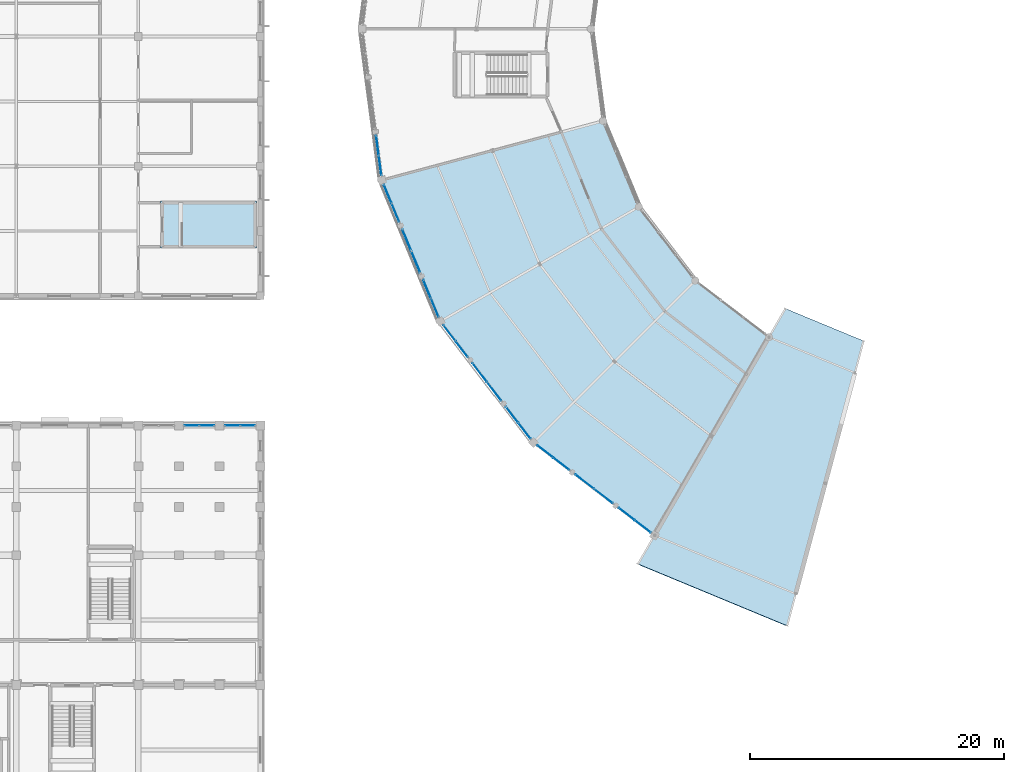
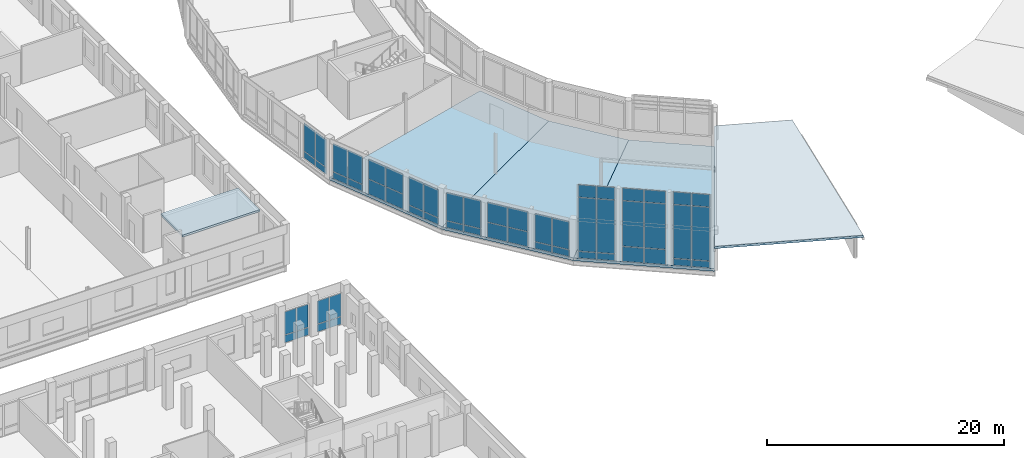
# One storey, part 137 of 185: 54 plates, 5 slabs, 12 elements without a shape of their own.
"""IFC4 building model written with IfcOpenShell, lengths in metres."""

from ifc_helpers import new_model, si_unit, direction, frame, origin, origin_2d, place, context, subcontext, project, spatial, polyline, rectangle, outline, extrude, material, layer, layer_set, type_object, element, aggregate, save


model = new_model("IFC4")

# Units and contexts
model_context = context("Model", 3, precision=1e-05, world=origin(), true_north=direction((0.0, 1.0)))
body_context = subcontext(model_context, "Body", "Model", "MODEL_VIEW")
ifc_project = project(units=[si_unit("LENGTHUNIT", "METRE"), si_unit("AREAUNIT", "SQUARE_METRE"), si_unit("VOLUMEUNIT", "CUBIC_METRE"), si_unit("PLANEANGLEUNIT", "RADIAN"), si_unit("MASSUNIT", "GRAM", prefix="KILO")], contexts=[model_context])

# Site, building, storey
site_placement = place(None, origin())
site = spatial("IfcSite", under=ifc_project, at=site_placement, CompositionType="ELEMENT")
building_placement = place(site_placement, origin())
building = spatial("IfcBuilding", under=site, at=building_placement, Name="Vondelvale Polytechnic", CompositionType="ELEMENT")
storey_placement = place(building_placement, frame((0.0, 0.0, 9.60009765625)))
storey = spatial("IfcBuildingStorey", under=building, at=storey_placement, Name="L02", CompositionType="ELEMENT", Elevation=9.60009765625)

# Curtain wall, plates
ifc_material_1 = material(Name="Anodised extruded aluminium 6063-T6", Category="aluminium")
curtain_wall_type_1 = type_object("IfcCurtainWallType", Name="CW-STUDIO-NORTH", PredefinedType="NOTDEFINED", material=ifc_material_1)
curtain_wall_1_placement = place(storey_placement, origin())
curtain_wall_1 = element("IfcCurtainWall", 1, at=curtain_wall_1_placement, inside=storey, type_object=curtain_wall_type_1, Name="L02 architectural curtain wall CW-01-023", PredefinedType="NOTDEFINED")
ifc_material_2 = material(Name="Double-glazed low-E insulated architectural glass", Category="glass")
ifc_layer_1 = layer(ifc_material_2, 0.028076171875)
ifc_layer_set_1 = layer_set([ifc_layer_1], Name="CW-PANEL-GLAZED")
plate_type_1 = type_object("IfcPlateType", Name="CW-PANEL-GLAZED", PredefinedType="CURTAIN_PANEL", material=ifc_layer_set_1)
plate_1_placement = place(storey_placement, frame((42.606201171875, 40.800048828125, 0.8798828125), z_axis=(0.0, 0.0, 1.0), x_axis=(1.0, 0.0, 0.0)))
plate_1 = element("IfcPlate", 2, at=plate_1_placement, type_object=plate_type_1, Name="CW-01-023 panel 1.2", PredefinedType="CURTAIN_PANEL", context=body_context, shape_type="SweptSolid", body=[
    extrude(rectangle(XDim=1.12255859375, YDim=0.028076171875, at=origin_2d()), origin(), (0.0, 0.0, 1.0), 2.360107421875),
])
plate_2_placement = place(storey_placement, frame((43.793701171875, 40.800048828125, 0.8798828125), z_axis=(0.0, 0.0, 1.0), x_axis=(1.0, 0.0, 0.0)))
plate_2 = element("IfcPlate", 3, at=plate_2_placement, type_object=plate_type_1, Name="CW-01-023 panel 2.2", PredefinedType="CURTAIN_PANEL", context=body_context, shape_type="SweptSolid", body=[
    extrude(rectangle(XDim=1.12255859375, YDim=0.028076171875, at=origin_2d()), origin(), (0.0, 0.0, 1.0), 2.360107421875),
])

curtain_wall_2_placement = place(storey_placement, origin())
curtain_wall_2 = element("IfcCurtainWall", 4, at=curtain_wall_2_placement, inside=storey, type_object=curtain_wall_type_1, Name="L02 architectural curtain wall CW-01-024", PredefinedType="NOTDEFINED")
plate_3_placement = place(storey_placement, frame((45.80615234375, 40.800048828125, 0.8798828125), z_axis=(0.0, 0.0, 1.0), x_axis=(1.0, 0.0, 0.0)))
plate_3 = element("IfcPlate", 5, at=plate_3_placement, type_object=plate_type_1, Name="CW-01-024 panel 1.2", PredefinedType="CURTAIN_PANEL", context=body_context, shape_type="SweptSolid", body=[
    extrude(rectangle(XDim=1.12255859375, YDim=0.028076171875, at=origin_2d()), origin(), (0.0, 0.0, 1.0), 2.360107421875),
])
plate_4_placement = place(storey_placement, frame((46.99365234375, 40.800048828125, 0.8798828125), z_axis=(0.0, 0.0, 1.0), x_axis=(1.0, 0.0, 0.0)))
plate_4 = element("IfcPlate", 6, at=plate_4_placement, type_object=plate_type_1, Name="CW-01-024 panel 2.2", PredefinedType="CURTAIN_PANEL", context=body_context, shape_type="SweptSolid", body=[
    extrude(rectangle(XDim=1.12255859375, YDim=0.028076171875, at=origin_2d()), origin(), (0.0, 0.0, 1.0), 2.360107421875),
])

ifc_material_3 = material(Name="Glulam GL18 structural Tasmanian oak (fb = 42 MPa)", Category="wood")
curtain_wall_type_2 = type_object("IfcCurtainWallType", Name="CW-RING-OUTER", PredefinedType="NOTDEFINED", material=ifc_material_3)
curtain_wall_3_placement = place(storey_placement, origin())
curtain_wall_3 = element("IfcCurtainWall", 7, at=curtain_wall_3_placement, inside=storey, type_object=curtain_wall_type_2, Name="L02 architectural curtain wall CW-04-266", PredefinedType="NOTDEFINED")
plate_5_placement = place(storey_placement, frame((57.20751953125, 62.828369140625, 0.780029296875), z_axis=(0.0, 0.0, 1.0), x_axis=(0.130539547729, -0.991443102996, 0.0)))
plate_5 = element("IfcPlate", 8, at=plate_5_placement, type_object=plate_type_1, Name="CW-04-266 panel 1.2", PredefinedType="CURTAIN_PANEL", context=body_context, shape_type="SweptSolid", body=[
    extrude(rectangle(XDim=1.530029296875, YDim=0.028076171875, at=origin_2d()), origin(), (0.0, 0.0, 1.0), 2.8798828125),
])
plate_6_placement = place(storey_placement, frame((57.415771484375, 61.2470703125, 0.780029296875), z_axis=(0.0, 0.0, 1.0), x_axis=(0.130539547729, -0.991443102996, 0.0)))
plate_6 = element("IfcPlate", 9, at=plate_6_placement, type_object=plate_type_1, Name="CW-04-266 panel 2.2", PredefinedType="CURTAIN_PANEL", context=body_context, shape_type="SweptSolid", body=[
    extrude(rectangle(XDim=1.530029296875, YDim=0.028076171875, at=origin_2d()), origin(), (0.0, 0.0, 1.0), 2.8798828125),
])

curtain_wall_4_placement = place(storey_placement, origin())
curtain_wall_4 = element("IfcCurtainWall", 10, at=curtain_wall_4_placement, inside=storey, type_object=curtain_wall_type_2, Name="L02 architectural curtain wall CW-04-284", PredefinedType="NOTDEFINED")
plate_7_placement = place(storey_placement, frame((58.01220703125, 59.02001953125, 0.780029296875), z_axis=(0.0, 0.0, 1.0), x_axis=(0.382677394529, -0.923882033442, 0.0)))
plate_7 = element("IfcPlate", 11, at=plate_7_placement, type_object=plate_type_1, Name="CW-04-284 panel 1.2", PredefinedType="CURTAIN_PANEL", context=body_context, shape_type="SweptSolid", body=[
    extrude(rectangle(XDim=1.530029296875, YDim=0.028076171875, at=origin_2d()), origin(), (0.0, 0.0, 1.0), 2.8798828125),
])
plate_8_placement = place(storey_placement, frame((58.622802734375, 57.546630859375, 0.780029296875), z_axis=(0.0, 0.0, 1.0), x_axis=(0.382677394529, -0.923882033442, 0.0)))
plate_8 = element("IfcPlate", 12, at=plate_8_placement, type_object=plate_type_1, Name="CW-04-284 panel 2.2", PredefinedType="CURTAIN_PANEL", context=body_context, shape_type="SweptSolid", body=[
    extrude(rectangle(XDim=1.530029296875, YDim=0.028076171875, at=origin_2d()), origin(), (0.0, 0.0, 1.0), 2.8798828125),
])

curtain_wall_5_placement = place(storey_placement, origin())
curtain_wall_5 = element("IfcCurtainWall", 13, at=curtain_wall_5_placement, inside=storey, type_object=curtain_wall_type_2, Name="L02 architectural curtain wall CW-04-285", PredefinedType="NOTDEFINED")
plate_9_placement = place(storey_placement, frame((59.506591796875, 55.412841796875, 1.6298828125), z_axis=(0.0, 0.0, 1.0), x_axis=(0.382694599123, -0.92387490701, 0.0)))
plate_9 = element("IfcPlate", 14, at=plate_9_placement, type_object=plate_type_1, Name="CW-04-285 panel 1.2", PredefinedType="CURTAIN_PANEL", context=body_context, shape_type="SweptSolid", body=[
    extrude(rectangle(XDim=1.80908203125, YDim=0.028076171875, at=origin_2d()), origin(), (0.0, 0.0, 1.0), 2.030029296875),
])
plate_10_placement = place(storey_placement, frame((60.2236328125, 53.681396484375, 1.6298828125), z_axis=(0.0, 0.0, 1.0), x_axis=(0.382694599123, -0.92387490701, 0.0)))
plate_10 = element("IfcPlate", 15, at=plate_10_placement, type_object=plate_type_1, Name="CW-04-285 panel 2.2", PredefinedType="CURTAIN_PANEL", context=body_context, shape_type="SweptSolid", body=[
    extrude(rectangle(XDim=1.80908203125, YDim=0.028076171875, at=origin_2d()), origin(), (0.0, 0.0, 1.0), 2.030029296875),
])

curtain_wall_6_placement = place(storey_placement, origin())
curtain_wall_6 = element("IfcCurtainWall", 16, at=curtain_wall_6_placement, inside=storey, type_object=curtain_wall_type_2, Name="L02 architectural curtain wall CW-04-286", PredefinedType="NOTDEFINED")
plate_11_placement = place(storey_placement, frame((61.107421875, 51.5478515625, 0.780029296875), z_axis=(0.0, 0.0, 1.0), x_axis=(0.382677394529, -0.923882033442, 0.0)))
plate_11 = element("IfcPlate", 17, at=plate_11_placement, type_object=plate_type_1, Name="CW-04-286 panel 1.2", PredefinedType="CURTAIN_PANEL", context=body_context, shape_type="SweptSolid", body=[
    extrude(rectangle(XDim=1.530029296875, YDim=0.028076171875, at=origin_2d()), origin(), (0.0, 0.0, 1.0), 2.8798828125),
])
plate_12_placement = place(storey_placement, frame((61.7177734375, 50.07421875, 0.780029296875), z_axis=(0.0, 0.0, 1.0), x_axis=(0.382677394529, -0.923882033442, 0.0)))
plate_12 = element("IfcPlate", 18, at=plate_12_placement, type_object=plate_type_1, Name="CW-04-286 panel 2.2", PredefinedType="CURTAIN_PANEL", context=body_context, shape_type="SweptSolid", body=[
    extrude(rectangle(XDim=1.530029296875, YDim=0.028076171875, at=origin_2d()), origin(), (0.0, 0.0, 1.0), 2.8798828125),
])

curtain_wall_7_placement = place(storey_placement, origin())
curtain_wall_7 = element("IfcCurtainWall", 19, at=curtain_wall_7_placement, inside=storey, type_object=curtain_wall_type_2, Name="L02 architectural curtain wall CW-04-303", PredefinedType="NOTDEFINED")
plate_13_placement = place(storey_placement, frame((62.87060546875, 48.07763671875, 0.780029296875), z_axis=(0.0, 0.0, 1.0), x_axis=(0.608786860133, -0.793333825656, 0.0)))
plate_13 = element("IfcPlate", 20, at=plate_13_placement, type_object=plate_type_1, Name="CW-04-303 panel 1.2", PredefinedType="CURTAIN_PANEL", context=body_context, shape_type="SweptSolid", body=[
    extrude(rectangle(XDim=1.530029296875, YDim=0.028076171875, at=origin_2d()), origin(), (0.0, 0.0, 1.0), 2.8798828125),
])
plate_14_placement = place(storey_placement, frame((63.841552734375, 46.812255859375, 0.780029296875), z_axis=(0.0, 0.0, 1.0), x_axis=(0.608786860133, -0.793333825656, 0.0)))
plate_14 = element("IfcPlate", 21, at=plate_14_placement, type_object=plate_type_1, Name="CW-04-303 panel 2.2", PredefinedType="CURTAIN_PANEL", context=body_context, shape_type="SweptSolid", body=[
    extrude(rectangle(XDim=1.530029296875, YDim=0.028076171875, at=origin_2d()), origin(), (0.0, 0.0, 1.0), 2.8798828125),
])

curtain_wall_8_placement = place(storey_placement, origin())
curtain_wall_8 = element("IfcCurtainWall", 22, at=curtain_wall_8_placement, inside=storey, type_object=curtain_wall_type_2, Name="L02 architectural curtain wall CW-04-305", PredefinedType="NOTDEFINED")
plate_15_placement = place(storey_placement, frame((67.794189453125, 41.660888671875, 0.780029296875), z_axis=(0.0, 0.0, 1.0), x_axis=(0.608786860133, -0.793333825656, 0.0)))
plate_15 = element("IfcPlate", 23, at=plate_15_placement, type_object=plate_type_1, Name="CW-04-305 panel 1.2", PredefinedType="CURTAIN_PANEL", context=body_context, shape_type="SweptSolid", body=[
    extrude(rectangle(XDim=1.530029296875, YDim=0.028076171875, at=origin_2d()), origin(), (0.0, 0.0, 1.0), 2.8798828125),
])
plate_16_placement = place(storey_placement, frame((68.765380859375, 40.3955078125, 0.780029296875), z_axis=(0.0, 0.0, 1.0), x_axis=(0.608786860133, -0.793333825656, 0.0)))
plate_16 = element("IfcPlate", 24, at=plate_16_placement, type_object=plate_type_1, Name="CW-04-305 panel 2.2", PredefinedType="CURTAIN_PANEL", context=body_context, shape_type="SweptSolid", body=[
    extrude(rectangle(XDim=1.530029296875, YDim=0.028076171875, at=origin_2d()), origin(), (0.0, 0.0, 1.0), 2.8798828125),
])

curtain_wall_9_placement = place(storey_placement, origin())
curtain_wall_9 = element("IfcCurtainWall", 25, at=curtain_wall_9_placement, inside=storey, type_object=curtain_wall_type_2, Name="L02 architectural curtain wall CW-04-322", PredefinedType="NOTDEFINED")
plate_17_placement = place(storey_placement, frame((70.3955078125, 38.765380859375, 0.77978515625), z_axis=(0.0, 0.0, 1.0), x_axis=(0.793333825656, -0.608786860133, 0.0)))
plate_17 = element("IfcPlate", 26, at=plate_17_placement, type_object=plate_type_1, Name="CW-04-322 panel 1.2", PredefinedType="CURTAIN_PANEL", context=body_context, shape_type="SweptSolid", body=[
    extrude(rectangle(XDim=1.530029296875, YDim=0.028076171875, at=origin_2d()), origin(), (0.0, 0.0, 1.0), 5.50146484375),
])
plate_18_placement = place(storey_placement, frame((70.3955078125, 38.765380859375, 6.34130859375), z_axis=(0.0, 0.0, 1.0), x_axis=(0.793333825656, -0.608786860133, 0.0)))
plate_18 = element("IfcPlate", 27, at=plate_18_placement, type_object=plate_type_1, Name="CW-04-322 panel 1.3", PredefinedType="CURTAIN_PANEL", context=body_context, shape_type="SweptSolid", body=[
    extrude(rectangle(XDim=1.530029296875, YDim=0.028076171875, at=origin_2d()), origin(), (0.0, 0.0, 1.0), 1.260009765625),
])
plate_19_placement = place(storey_placement, frame((71.660888671875, 37.794189453125, 0.77978515625), z_axis=(0.0, 0.0, 1.0), x_axis=(0.793333825656, -0.608786860133, 0.0)))
plate_19 = element("IfcPlate", 28, at=plate_19_placement, type_object=plate_type_1, Name="CW-04-322 panel 2.2", PredefinedType="CURTAIN_PANEL", context=body_context, shape_type="SweptSolid", body=[
    extrude(rectangle(XDim=1.530029296875, YDim=0.028076171875, at=origin_2d()), origin(), (0.0, 0.0, 1.0), 5.50146484375),
])
plate_20_placement = place(storey_placement, frame((71.660888671875, 37.794189453125, 6.34130859375), z_axis=(0.0, 0.0, 1.0), x_axis=(0.793333825656, -0.608786860133, 0.0)))
plate_20 = element("IfcPlate", 29, at=plate_20_placement, type_object=plate_type_1, Name="CW-04-322 panel 2.3", PredefinedType="CURTAIN_PANEL", context=body_context, shape_type="SweptSolid", body=[
    extrude(rectangle(XDim=1.530029296875, YDim=0.028076171875, at=origin_2d()), origin(), (0.0, 0.0, 1.0), 1.260009765625),
])

curtain_wall_10_placement = place(storey_placement, origin())
curtain_wall_10 = element("IfcCurtainWall", 30, at=curtain_wall_10_placement, inside=storey, type_object=curtain_wall_type_2, Name="L02 architectural curtain wall CW-04-323", PredefinedType="NOTDEFINED")
plate_21_placement = place(storey_placement, frame((73.4931640625, 36.388427734375, 1.6298828125), z_axis=(0.0, 0.0, 1.0), x_axis=(0.793345851043, -0.608771189063, 0.0)))
plate_21 = element("IfcPlate", 31, at=plate_21_placement, type_object=plate_type_1, Name="CW-04-323 panel 1.2", PredefinedType="CURTAIN_PANEL", context=body_context, shape_type="SweptSolid", body=[
    extrude(rectangle(XDim=1.80908203125, YDim=0.028076171875, at=origin_2d()), origin(), (0.0, 0.0, 1.0), 4.6513671875),
])
plate_22_placement = place(storey_placement, frame((73.4931640625, 36.388427734375, 6.34130859375), z_axis=(0.0, 0.0, 1.0), x_axis=(0.793345851043, -0.608771189063, 0.0)))
plate_22 = element("IfcPlate", 32, at=plate_22_placement, type_object=plate_type_1, Name="CW-04-323 panel 1.3", PredefinedType="CURTAIN_PANEL", context=body_context, shape_type="SweptSolid", body=[
    extrude(rectangle(XDim=1.80908203125, YDim=0.028076171875, at=origin_2d()), origin(), (0.0, 0.0, 1.0), 1.260009765625),
])
plate_23_placement = place(storey_placement, frame((74.97998046875, 35.24755859375, 1.6298828125), z_axis=(0.0, 0.0, 1.0), x_axis=(0.793345851043, -0.608771189063, 0.0)))
plate_23 = element("IfcPlate", 33, at=plate_23_placement, type_object=plate_type_1, Name="CW-04-323 panel 2.2", PredefinedType="CURTAIN_PANEL", context=body_context, shape_type="SweptSolid", body=[
    extrude(rectangle(XDim=1.80908203125, YDim=0.028076171875, at=origin_2d()), origin(), (0.0, 0.0, 1.0), 4.6513671875),
])
plate_24_placement = place(storey_placement, frame((74.97998046875, 35.24755859375, 6.34130859375), z_axis=(0.0, 0.0, 1.0), x_axis=(0.793345851043, -0.608771189063, 0.0)))
plate_24 = element("IfcPlate", 34, at=plate_24_placement, type_object=plate_type_1, Name="CW-04-323 panel 2.3", PredefinedType="CURTAIN_PANEL", context=body_context, shape_type="SweptSolid", body=[
    extrude(rectangle(XDim=1.80908203125, YDim=0.028076171875, at=origin_2d()), origin(), (0.0, 0.0, 1.0), 1.260009765625),
])

curtain_wall_11_placement = place(storey_placement, origin())
curtain_wall_11 = element("IfcCurtainWall", 35, at=curtain_wall_11_placement, inside=storey, type_object=curtain_wall_type_2, Name="L02 architectural curtain wall CW-04-324", PredefinedType="NOTDEFINED")
plate_25_placement = place(storey_placement, frame((76.812255859375, 33.841552734375, 0.77978515625), z_axis=(0.0, 0.0, 1.0), x_axis=(0.793333825656, -0.608786860133, 0.0)))
plate_25 = element("IfcPlate", 36, at=plate_25_placement, type_object=plate_type_1, Name="CW-04-324 panel 1.2", PredefinedType="CURTAIN_PANEL", context=body_context, shape_type="SweptSolid", body=[
    extrude(rectangle(XDim=1.530029296875, YDim=0.028076171875, at=origin_2d()), origin(), (0.0, 0.0, 1.0), 5.50146484375),
])
plate_26_placement = place(storey_placement, frame((76.812255859375, 33.841552734375, 6.34130859375), z_axis=(0.0, 0.0, 1.0), x_axis=(0.793333825656, -0.608786860133, 0.0)))
plate_26 = element("IfcPlate", 37, at=plate_26_placement, type_object=plate_type_1, Name="CW-04-324 panel 1.3", PredefinedType="CURTAIN_PANEL", context=body_context, shape_type="SweptSolid", body=[
    extrude(rectangle(XDim=1.530029296875, YDim=0.028076171875, at=origin_2d()), origin(), (0.0, 0.0, 1.0), 1.260009765625),
])
plate_27_placement = place(storey_placement, frame((78.07763671875, 32.87060546875, 0.77978515625), z_axis=(0.0, 0.0, 1.0), x_axis=(0.793333825656, -0.608786860133, 0.0)))
plate_27 = element("IfcPlate", 38, at=plate_27_placement, type_object=plate_type_1, Name="CW-04-324 panel 2.2", PredefinedType="CURTAIN_PANEL", context=body_context, shape_type="SweptSolid", body=[
    extrude(rectangle(XDim=1.530029296875, YDim=0.028076171875, at=origin_2d()), origin(), (0.0, 0.0, 1.0), 5.50146484375),
])
plate_28_placement = place(storey_placement, frame((78.07763671875, 32.87060546875, 6.34130859375), z_axis=(0.0, 0.0, 1.0), x_axis=(0.793333825656, -0.608786860133, 0.0)))
plate_28 = element("IfcPlate", 39, at=plate_28_placement, type_object=plate_type_1, Name="CW-04-324 panel 2.3", PredefinedType="CURTAIN_PANEL", context=body_context, shape_type="SweptSolid", body=[
    extrude(rectangle(XDim=1.530029296875, YDim=0.028076171875, at=origin_2d()), origin(), (0.0, 0.0, 1.0), 1.260009765625),
])

# Plate
ifc_material_4 = material(Name="Engineered Tasmanian oak studio and bridge joinery")
ifc_layer_2 = layer(ifc_material_4, 0.0419921875)
ifc_layer_set_2 = layer_set([ifc_layer_2], Name="CW-PANEL-OAK")
plate_type_2 = type_object("IfcPlateType", Name="CW-PANEL-OAK", PredefinedType="CURTAIN_PANEL", material=ifc_layer_set_2)
plate_29_placement = place(storey_placement, frame((59.506591796875, 55.412841796875, 0.06005859375), z_axis=(0.0, 0.0, 1.0), x_axis=(0.382694599123, -0.92387490701, 0.0)))
plate_29 = element("IfcPlate", 40, at=plate_29_placement, type_object=plate_type_2, Name="CW-04-285 panel 1.1", PredefinedType="CURTAIN_PANEL", context=body_context, shape_type="SweptSolid", body=[
    extrude(rectangle(XDim=1.80908203125, YDim=0.0419921875, at=origin_2d()), origin(), (0.0, 0.0, 1.0), 1.510009765625),
])

plate_30_placement = place(storey_placement, frame((60.2236328125, 53.681396484375, 0.06005859375), z_axis=(0.0, 0.0, 1.0), x_axis=(0.382694599123, -0.92387490701, 0.0)))
plate_30 = element("IfcPlate", 41, at=plate_30_placement, type_object=plate_type_2, Name="CW-04-285 panel 2.1", PredefinedType="CURTAIN_PANEL", context=body_context, shape_type="SweptSolid", body=[
    extrude(rectangle(XDim=1.80908203125, YDim=0.0419921875, at=origin_2d()), origin(), (0.0, 0.0, 1.0), 1.510009765625),
])

aggregate(curtain_wall_5, [plate_29, plate_9, plate_30, plate_10])

# Curtain wall, plates
curtain_wall_12_placement = place(storey_placement, origin())
curtain_wall_12 = element("IfcCurtainWall", 42, at=curtain_wall_12_placement, inside=storey, type_object=curtain_wall_type_2, Name="L02 architectural curtain wall CW-04-304", PredefinedType="NOTDEFINED")
plate_31_placement = place(storey_placement, frame((65.24755859375, 44.97998046875, 0.06005859375), z_axis=(0.0, 0.0, 1.0), x_axis=(0.608771189063, -0.793345851043, 0.0)))
plate_31 = element("IfcPlate", 43, at=plate_31_placement, type_object=plate_type_2, Name="CW-04-304 panel 1.1", PredefinedType="CURTAIN_PANEL", context=body_context, shape_type="SweptSolid", body=[
    extrude(rectangle(XDim=1.80908203125, YDim=0.0419921875, at=origin_2d()), origin(), (0.0, 0.0, 1.0), 1.510009765625),
])
plate_32_placement = place(storey_placement, frame((65.24755859375, 44.97998046875, 1.6298828125), z_axis=(0.0, 0.0, 1.0), x_axis=(0.608771189063, -0.793345851043, 0.0)))
plate_32 = element("IfcPlate", 44, at=plate_32_placement, type_object=plate_type_2, Name="CW-04-304 panel 1.2", PredefinedType="CURTAIN_PANEL", context=body_context, shape_type="SweptSolid", body=[
    extrude(rectangle(XDim=1.80908203125, YDim=0.0419921875, at=origin_2d()), origin(), (0.0, 0.0, 1.0), 2.030029296875),
])
plate_33_placement = place(storey_placement, frame((66.388427734375, 43.4931640625, 0.06005859375), z_axis=(0.0, 0.0, 1.0), x_axis=(0.608771189063, -0.793345851043, 0.0)))
plate_33 = element("IfcPlate", 45, at=plate_33_placement, type_object=plate_type_2, Name="CW-04-304 panel 2.1", PredefinedType="CURTAIN_PANEL", context=body_context, shape_type="SweptSolid", body=[
    extrude(rectangle(XDim=1.80908203125, YDim=0.0419921875, at=origin_2d()), origin(), (0.0, 0.0, 1.0), 1.510009765625),
])
plate_34_placement = place(storey_placement, frame((66.388427734375, 43.4931640625, 1.6298828125), z_axis=(0.0, 0.0, 1.0), x_axis=(0.608771189063, -0.793345851043, 0.0)))
plate_34 = element("IfcPlate", 46, at=plate_34_placement, type_object=plate_type_2, Name="CW-04-304 panel 2.2", PredefinedType="CURTAIN_PANEL", context=body_context, shape_type="SweptSolid", body=[
    extrude(rectangle(XDim=1.80908203125, YDim=0.0419921875, at=origin_2d()), origin(), (0.0, 0.0, 1.0), 2.030029296875),
])
aggregate(curtain_wall_12, [plate_31, plate_32, plate_33, plate_34])

# Plate
plate_35_placement = place(storey_placement, frame((73.4931640625, 36.388427734375, 0.06005859375), z_axis=(0.0, 0.0, 1.0), x_axis=(0.793345851043, -0.608771189063, 0.0)))
plate_35 = element("IfcPlate", 47, at=plate_35_placement, type_object=plate_type_2, Name="CW-04-323 panel 1.1", PredefinedType="CURTAIN_PANEL", context=body_context, shape_type="SweptSolid", body=[
    extrude(rectangle(XDim=1.80908203125, YDim=0.0419921875, at=origin_2d()), origin(), (0.0, 0.0, 1.0), 1.510009765625),
])

plate_36_placement = place(storey_placement, frame((74.97998046875, 35.24755859375, 0.06005859375), z_axis=(0.0, 0.0, 1.0), x_axis=(0.793345851043, -0.608771189063, 0.0)))
plate_36 = element("IfcPlate", 48, at=plate_36_placement, type_object=plate_type_2, Name="CW-04-323 panel 2.1", PredefinedType="CURTAIN_PANEL", context=body_context, shape_type="SweptSolid", body=[
    extrude(rectangle(XDim=1.80908203125, YDim=0.0419921875, at=origin_2d()), origin(), (0.0, 0.0, 1.0), 1.510009765625),
])

aggregate(curtain_wall_10, [plate_35, plate_21, plate_22, plate_36, plate_23, plate_24])

ifc_material_5 = material(Name="Kiln-fired architectural terracotta", Category="masonry")
ifc_layer_3 = layer(ifc_material_5, 0.035888671875)
ifc_layer_set_3 = layer_set([ifc_layer_3], Name="CW-PANEL-SPANDREL")
plate_type_3 = type_object("IfcPlateType", Name="CW-PANEL-SPANDREL", PredefinedType="CURTAIN_PANEL", material=ifc_layer_set_3)
plate_37_placement = place(storey_placement, frame((42.606201171875, 40.800048828125, 0.06005859375), z_axis=(0.0, 0.0, 1.0), x_axis=(1.0, 0.0, 0.0)))
plate_37 = element("IfcPlate", 49, at=plate_37_placement, type_object=plate_type_3, Name="CW-01-023 panel 1.1", PredefinedType="CURTAIN_PANEL", context=body_context, shape_type="SweptSolid", body=[
    extrude(rectangle(XDim=1.12255859375, YDim=0.035888671875, at=origin_2d()), origin(), (0.0, 0.0, 1.0), 0.760009765625),
])

plate_38_placement = place(storey_placement, frame((43.793701171875, 40.800048828125, 0.06005859375), z_axis=(0.0, 0.0, 1.0), x_axis=(1.0, 0.0, 0.0)))
plate_38 = element("IfcPlate", 50, at=plate_38_placement, type_object=plate_type_3, Name="CW-01-023 panel 2.1", PredefinedType="CURTAIN_PANEL", context=body_context, shape_type="SweptSolid", body=[
    extrude(rectangle(XDim=1.12255859375, YDim=0.035888671875, at=origin_2d()), origin(), (0.0, 0.0, 1.0), 0.760009765625),
])

aggregate(curtain_wall_1, [plate_37, plate_1, plate_38, plate_2])

plate_39_placement = place(storey_placement, frame((45.80615234375, 40.800048828125, 0.06005859375), z_axis=(0.0, 0.0, 1.0), x_axis=(1.0, 0.0, 0.0)))
plate_39 = element("IfcPlate", 51, at=plate_39_placement, type_object=plate_type_3, Name="CW-01-024 panel 1.1", PredefinedType="CURTAIN_PANEL", context=body_context, shape_type="SweptSolid", body=[
    extrude(rectangle(XDim=1.12255859375, YDim=0.035888671875, at=origin_2d()), origin(), (0.0, 0.0, 1.0), 0.760009765625),
])

plate_40_placement = place(storey_placement, frame((46.99365234375, 40.800048828125, 0.06005859375), z_axis=(0.0, 0.0, 1.0), x_axis=(1.0, 0.0, 0.0)))
plate_40 = element("IfcPlate", 52, at=plate_40_placement, type_object=plate_type_3, Name="CW-01-024 panel 2.1", PredefinedType="CURTAIN_PANEL", context=body_context, shape_type="SweptSolid", body=[
    extrude(rectangle(XDim=1.12255859375, YDim=0.035888671875, at=origin_2d()), origin(), (0.0, 0.0, 1.0), 0.760009765625),
])

aggregate(curtain_wall_2, [plate_39, plate_3, plate_40, plate_4])

plate_41_placement = place(storey_placement, frame((57.20751953125, 62.828369140625, 0.06005859375), z_axis=(0.0, 0.0, 1.0), x_axis=(0.130539547729, -0.991443102996, 0.0)))
plate_41 = element("IfcPlate", 53, at=plate_41_placement, type_object=plate_type_3, Name="CW-04-266 panel 1.1", PredefinedType="CURTAIN_PANEL", context=body_context, shape_type="SweptSolid", body=[
    extrude(rectangle(XDim=1.530029296875, YDim=0.035888671875, at=origin_2d()), origin(), (0.0, 0.0, 1.0), 0.659912109375),
])

plate_42_placement = place(storey_placement, frame((57.415771484375, 61.2470703125, 0.06005859375), z_axis=(0.0, 0.0, 1.0), x_axis=(0.130539547729, -0.991443102996, 0.0)))
plate_42 = element("IfcPlate", 54, at=plate_42_placement, type_object=plate_type_3, Name="CW-04-266 panel 2.1", PredefinedType="CURTAIN_PANEL", context=body_context, shape_type="SweptSolid", body=[
    extrude(rectangle(XDim=1.530029296875, YDim=0.035888671875, at=origin_2d()), origin(), (0.0, 0.0, 1.0), 0.659912109375),
])

aggregate(curtain_wall_3, [plate_41, plate_5, plate_42, plate_6])

plate_43_placement = place(storey_placement, frame((58.01220703125, 59.02001953125, 0.06005859375), z_axis=(0.0, 0.0, 1.0), x_axis=(0.382677394529, -0.923882033442, 0.0)))
plate_43 = element("IfcPlate", 55, at=plate_43_placement, type_object=plate_type_3, Name="CW-04-284 panel 1.1", PredefinedType="CURTAIN_PANEL", context=body_context, shape_type="SweptSolid", body=[
    extrude(rectangle(XDim=1.530029296875, YDim=0.035888671875, at=origin_2d()), origin(), (0.0, 0.0, 1.0), 0.659912109375),
])

plate_44_placement = place(storey_placement, frame((58.622802734375, 57.546630859375, 0.06005859375), z_axis=(0.0, 0.0, 1.0), x_axis=(0.382677394529, -0.923882033442, 0.0)))
plate_44 = element("IfcPlate", 56, at=plate_44_placement, type_object=plate_type_3, Name="CW-04-284 panel 2.1", PredefinedType="CURTAIN_PANEL", context=body_context, shape_type="SweptSolid", body=[
    extrude(rectangle(XDim=1.530029296875, YDim=0.035888671875, at=origin_2d()), origin(), (0.0, 0.0, 1.0), 0.659912109375),
])

aggregate(curtain_wall_4, [plate_43, plate_7, plate_44, plate_8])

plate_45_placement = place(storey_placement, frame((61.107421875, 51.5478515625, 0.06005859375), z_axis=(0.0, 0.0, 1.0), x_axis=(0.382677394529, -0.923882033442, 0.0)))
plate_45 = element("IfcPlate", 57, at=plate_45_placement, type_object=plate_type_3, Name="CW-04-286 panel 1.1", PredefinedType="CURTAIN_PANEL", context=body_context, shape_type="SweptSolid", body=[
    extrude(rectangle(XDim=1.530029296875, YDim=0.035888671875, at=origin_2d()), origin(), (0.0, 0.0, 1.0), 0.659912109375),
])

plate_46_placement = place(storey_placement, frame((61.7177734375, 50.07421875, 0.06005859375), z_axis=(0.0, 0.0, 1.0), x_axis=(0.382677394529, -0.923882033442, 0.0)))
plate_46 = element("IfcPlate", 58, at=plate_46_placement, type_object=plate_type_3, Name="CW-04-286 panel 2.1", PredefinedType="CURTAIN_PANEL", context=body_context, shape_type="SweptSolid", body=[
    extrude(rectangle(XDim=1.530029296875, YDim=0.035888671875, at=origin_2d()), origin(), (0.0, 0.0, 1.0), 0.659912109375),
])

aggregate(curtain_wall_6, [plate_45, plate_11, plate_46, plate_12])

plate_47_placement = place(storey_placement, frame((62.87060546875, 48.07763671875, 0.06005859375), z_axis=(0.0, 0.0, 1.0), x_axis=(0.608786860133, -0.793333825656, 0.0)))
plate_47 = element("IfcPlate", 59, at=plate_47_placement, type_object=plate_type_3, Name="CW-04-303 panel 1.1", PredefinedType="CURTAIN_PANEL", context=body_context, shape_type="SweptSolid", body=[
    extrude(rectangle(XDim=1.530029296875, YDim=0.035888671875, at=origin_2d()), origin(), (0.0, 0.0, 1.0), 0.659912109375),
])

plate_48_placement = place(storey_placement, frame((63.841552734375, 46.812255859375, 0.06005859375), z_axis=(0.0, 0.0, 1.0), x_axis=(0.608786860133, -0.793333825656, 0.0)))
plate_48 = element("IfcPlate", 60, at=plate_48_placement, type_object=plate_type_3, Name="CW-04-303 panel 2.1", PredefinedType="CURTAIN_PANEL", context=body_context, shape_type="SweptSolid", body=[
    extrude(rectangle(XDim=1.530029296875, YDim=0.035888671875, at=origin_2d()), origin(), (0.0, 0.0, 1.0), 0.659912109375),
])

aggregate(curtain_wall_7, [plate_47, plate_13, plate_48, plate_14])

plate_49_placement = place(storey_placement, frame((67.794189453125, 41.660888671875, 0.06005859375), z_axis=(0.0, 0.0, 1.0), x_axis=(0.608786860133, -0.793333825656, 0.0)))
plate_49 = element("IfcPlate", 61, at=plate_49_placement, type_object=plate_type_3, Name="CW-04-305 panel 1.1", PredefinedType="CURTAIN_PANEL", context=body_context, shape_type="SweptSolid", body=[
    extrude(rectangle(XDim=1.530029296875, YDim=0.035888671875, at=origin_2d()), origin(), (0.0, 0.0, 1.0), 0.659912109375),
])

plate_50_placement = place(storey_placement, frame((68.765380859375, 40.3955078125, 0.06005859375), z_axis=(0.0, 0.0, 1.0), x_axis=(0.608786860133, -0.793333825656, 0.0)))
plate_50 = element("IfcPlate", 62, at=plate_50_placement, type_object=plate_type_3, Name="CW-04-305 panel 2.1", PredefinedType="CURTAIN_PANEL", context=body_context, shape_type="SweptSolid", body=[
    extrude(rectangle(XDim=1.530029296875, YDim=0.035888671875, at=origin_2d()), origin(), (0.0, 0.0, 1.0), 0.659912109375),
])

aggregate(curtain_wall_8, [plate_49, plate_15, plate_50, plate_16])

plate_51_placement = place(storey_placement, frame((70.3955078125, 38.765380859375, 0.06005859375), z_axis=(0.0, 0.0, 1.0), x_axis=(0.793333825656, -0.608786860133, 0.0)))
plate_51 = element("IfcPlate", 63, at=plate_51_placement, type_object=plate_type_3, Name="CW-04-322 panel 1.1", PredefinedType="CURTAIN_PANEL", context=body_context, shape_type="SweptSolid", body=[
    extrude(rectangle(XDim=1.530029296875, YDim=0.035888671875, at=origin_2d()), origin(), (0.0, 0.0, 1.0), 0.659912109375),
])

plate_52_placement = place(storey_placement, frame((71.660888671875, 37.794189453125, 0.06005859375), z_axis=(0.0, 0.0, 1.0), x_axis=(0.793333825656, -0.608786860133, 0.0)))
plate_52 = element("IfcPlate", 64, at=plate_52_placement, type_object=plate_type_3, Name="CW-04-322 panel 2.1", PredefinedType="CURTAIN_PANEL", context=body_context, shape_type="SweptSolid", body=[
    extrude(rectangle(XDim=1.530029296875, YDim=0.035888671875, at=origin_2d()), origin(), (0.0, 0.0, 1.0), 0.659912109375),
])

aggregate(curtain_wall_9, [plate_51, plate_17, plate_18, plate_52, plate_19, plate_20])

plate_53_placement = place(storey_placement, frame((76.812255859375, 33.841552734375, 0.06005859375), z_axis=(0.0, 0.0, 1.0), x_axis=(0.793333825656, -0.608786860133, 0.0)))
plate_53 = element("IfcPlate", 65, at=plate_53_placement, type_object=plate_type_3, Name="CW-04-324 panel 1.1", PredefinedType="CURTAIN_PANEL", context=body_context, shape_type="SweptSolid", body=[
    extrude(rectangle(XDim=1.530029296875, YDim=0.035888671875, at=origin_2d()), origin(), (0.0, 0.0, 1.0), 0.659912109375),
])

plate_54_placement = place(storey_placement, frame((78.07763671875, 32.87060546875, 0.06005859375), z_axis=(0.0, 0.0, 1.0), x_axis=(0.793333825656, -0.608786860133, 0.0)))
plate_54 = element("IfcPlate", 66, at=plate_54_placement, type_object=plate_type_3, Name="CW-04-324 panel 2.1", PredefinedType="CURTAIN_PANEL", context=body_context, shape_type="SweptSolid", body=[
    extrude(rectangle(XDim=1.530029296875, YDim=0.035888671875, at=origin_2d()), origin(), (0.0, 0.0, 1.0), 0.659912109375),
])

aggregate(curtain_wall_11, [plate_53, plate_25, plate_26, plate_54, plate_27, plate_28])

# Slabs
ifc_material_6 = material(Name="Concrete N40 (f'c = 40 MPa)", Category="concrete")
ifc_layer_4 = layer(ifc_material_6, 0.280029296875)
ifc_layer_set_4 = layer_set([ifc_layer_4], Name="SLB-LIBRARY-280")
slab_type_1 = type_object("IfcSlabType", Name="SLB-LIBRARY-280", PredefinedType="FLOOR", material=ifc_layer_set_4)
slab_1_placement = place(storey_placement, frame((0.0, 0.0, -0.280029296875)))
element("IfcSlab", 67, at=slab_1_placement, inside=storey, type_object=slab_type_1, Name="L02 circular ring sector 13 floor slab", PredefinedType="FLOOR", context=body_context, shape_type="SweptSolid", body=[
    extrude(outline(polyline([(74.9541015625, 64.753173828125), (57.5673828125, 60.09423828125), (62.162841796875, 49.0), (77.751220703125, 58.0), (74.9541015625, 64.753173828125)])), origin(), (0.0, 0.0, 1.0), 0.280029296875),
])
slab_2_placement = place(storey_placement, frame((0.0, 0.0, -0.280029296875)))
element("IfcSlab", 68, at=slab_2_placement, inside=storey, type_object=slab_type_1, Name="L02 circular ring sector 14 floor slab", PredefinedType="FLOOR", context=body_context, shape_type="SweptSolid", body=[
    extrude(outline(polyline([(77.751220703125, 58.0), (62.162841796875, 49.0), (69.47314453125, 39.47314453125), (82.200927734375, 52.200927734375), (77.751220703125, 58.0)])), origin(), (0.0, 0.0, 1.0), 0.280029296875),
])
slab_3_placement = place(storey_placement, frame((0.0, 0.0, -0.280029296875)))
element("IfcSlab", 69, at=slab_3_placement, inside=storey, type_object=slab_type_1, Name="L02 circular ring sector 15 floor slab", PredefinedType="FLOOR", context=body_context, shape_type="SweptSolid", body=[
    extrude(outline(polyline([(82.200927734375, 52.200927734375), (69.47314453125, 39.47314453125), (79.0, 32.162841796875), (88.0, 47.751220703125), (82.200927734375, 52.200927734375)])), origin(), (0.0, 0.0, 1.0), 0.280029296875),
])
ifc_layer_5 = layer(ifc_material_6, 0.199951171875)
ifc_layer_set_5 = layer_set([ifc_layer_5], Name="SLB-ROOF-200")
slab_type_2 = type_object("IfcSlabType", Name="SLB-ROOF-200", PredefinedType="ROOF", material=ifc_layer_set_5)
slab_4_placement = place(storey_placement, frame((89.300048828125, 50.0029296875, 0.2998046875), z_axis=(0.062376311028, 0.150590999507, 0.986626346035), x_axis=(-0.493427837562, -0.854635232916, 0.161640303693)))
element("IfcSlab", 70, at=slab_4_placement, inside=storey, type_object=slab_type_2, Name="Ring inward-sloping dark roof slab sector 16", PredefinedType="ROOF", context=body_context, shape_type="SweptSolid", body=[
    extrude(outline(polyline([(0.0, 0.0), (23.50920965061897, 1.4988010832439613e-15), (21.874973070490455, 12.58151533349702), (-0.854215655375723, 6.575413851727523), (0.0, 0.0)])), origin(), (0.0, 0.0, -1.0), 0.199951171875),
])
slab_5_placement = place(storey_placement, frame((0.0, 0.0, 3.14990234375)))
element("IfcSlab", 71, at=slab_5_placement, inside=storey, type_object=slab_type_2, Name="ST-01 stair bulkhead roof slab", PredefinedType="ROOF", context=body_context, shape_type="SweptSolid", body=[
    extrude(outline(polyline([(40.14990234375, 54.75), (47.699951171875, 54.75), (47.699951171875, 58.449951171875), (40.14990234375, 58.449951171875), (40.14990234375, 54.75)])), origin(), (0.0, 0.0, 1.0), 0.199951171875),
])

save(model, "model.ifc")
